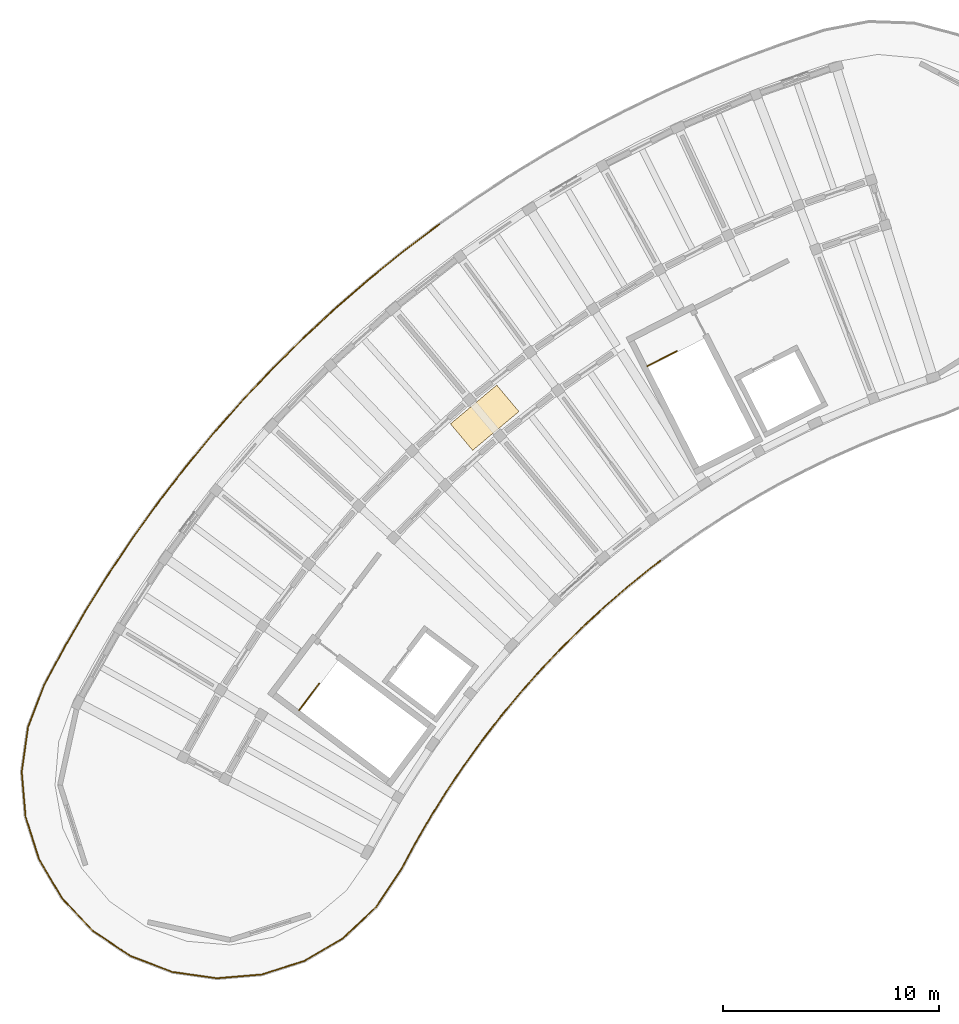
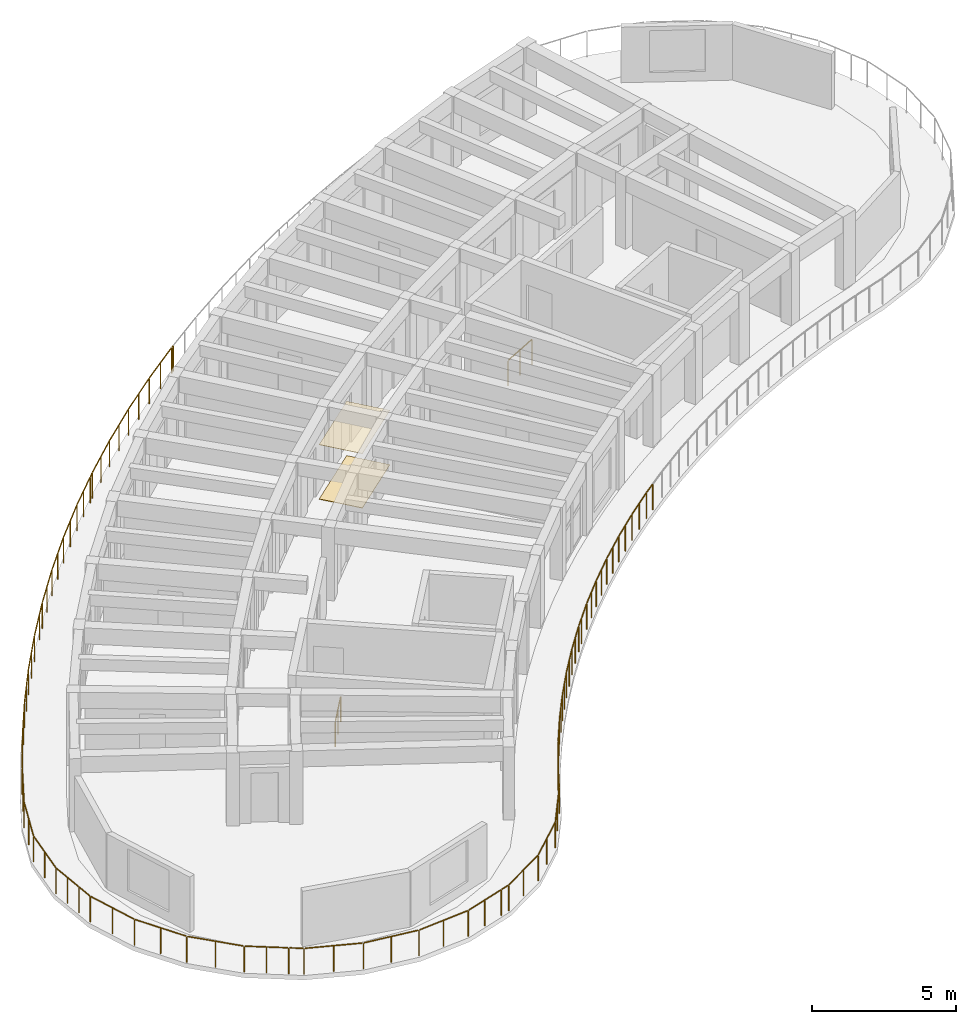
# One storey, part 8 of 9: 11 railings, 2 coverings.
"""IFC4 building model written with IfcOpenShell, lengths in metres."""

from ifc_helpers import new_model, si_unit, direction, frame, origin, origin_2d, place, context, subcontext, project, spatial, rectangle, circle, extrude, material, layer, layer_set, type_object, element, save


model = new_model("IFC4")

# Units and contexts
model_context = context("Model", 3, precision=1e-05, world=origin(), true_north=direction((0.0, 1.0)))
body_context = subcontext(model_context, "Body", "Model", "MODEL_VIEW")
ifc_project = project(units=[si_unit("LENGTHUNIT", "METRE"), si_unit("AREAUNIT", "SQUARE_METRE"), si_unit("VOLUMEUNIT", "CUBIC_METRE"), si_unit("PLANEANGLEUNIT", "RADIAN"), si_unit("MASSUNIT", "GRAM", prefix="KILO")], contexts=[model_context])

# Site, building, storey
site_placement = place(None, origin())
site = spatial("IfcSite", under=ifc_project, at=site_placement, CompositionType="ELEMENT")
building_placement = place(site_placement, origin())
building = spatial("IfcBuilding", under=site, at=building_placement, Name="Tanwirah Colonnade Gardens", CompositionType="ELEMENT")
storey_placement = place(building_placement, frame((0.0, 0.0, 49.159912109375)))
storey = spatial("IfcBuildingStorey", under=building, at=storey_placement, Name="L14", CompositionType="ELEMENT", Elevation=49.159912109375)

# Railings
ifc_material_1 = material(Name="Precast concrete C40/50", Category="concrete")
railing_type_1 = type_object("IfcRailingType", Name="BAL-EXT112", PredefinedType="BALUSTRADE", material=ifc_material_1)
railing_1_placement = place(storey_placement, frame((39.107666015625, 94.121826171875, 0.0)))
element("IfcRailing", 1, at=railing_1_placement, inside=storey, type_object=railing_type_1, Name="Block A L14 Balcony Ribbon Balustrade 3", PredefinedType="BALUSTRADE", context=body_context, shape_type="SweptSolid", body=[
    extrude(circle(Radius=0.02392578125, at=origin_2d()), frame((-0.02490234375, -0.018798828125, 1.09619140625), z_axis=(-0.796864191911, -0.604158472299, 0.0), x_axis=(0.604158472299, -0.796864191911, 0.0)), (0.0, 0.0, 1.0), 0.5),
    extrude(circle(Radius=0.02392578125, at=origin_2d()), frame((-0.474365234375, -0.361083984375, 1.09619140625), z_axis=(-0.776491375378, -0.630127879056, 0.0), x_axis=(0.630127879056, -0.776491375378, 0.0)), (0.0, 0.0, 1.0), 1.342041015625),
    extrude(circle(Radius=0.02392578125, at=origin_2d()), frame((-1.56640625, -1.24853515625, 1.09619140625), z_axis=(-0.755402192857, -0.655261418845, 0.0), x_axis=(0.655261418845, -0.755402192857, 0.0)), (0.0, 0.0, 1.0), 1.341796875),
    extrude(circle(Radius=0.02392578125, at=origin_2d()), frame((-2.62841796875, -2.171142578125, 1.09619140625), z_axis=(-0.73336899588, -0.679830799451, 0.0), x_axis=(0.679830799451, -0.73336899588, 0.0)), (0.0, 0.0, 1.0), 1.342041015625),
    extrude(circle(Radius=0.02392578125, at=origin_2d()), frame((-3.65966796875, -3.12841796875, 1.09619140625), z_axis=(-0.710488556831, -0.703708754111, 0.0), x_axis=(0.703708754111, -0.710488556831, 0.0)), (0.0, 0.0, 1.0), 1.341796875),
    extrude(circle(Radius=0.02392578125, at=origin_2d()), frame((-4.658447265625, -4.119384765625, 1.09619140625), z_axis=(-0.687011382404, -0.726646654466, 0.0), x_axis=(0.726646654466, -0.687011382404, 0.0)), (0.0, 0.0, 1.0), 1.341796875),
    extrude(circle(Radius=0.02392578125, at=origin_2d()), frame((-5.624267578125, -5.142578125, 1.09619140625), z_axis=(-0.662661667832, -0.748918896801, 0.0), x_axis=(0.748918896801, -0.662661667832, 0.0)), (0.0, 0.0, 1.0), 0.837646484375),
    extrude(circle(Radius=0.02099609375, at=origin_2d()), origin(), (0.0, 0.0, 1.0), 1.069091796875),
    extrude(circle(Radius=0.02099609375, at=origin_2d()), frame((-0.4482421875, -0.33984375, 0.0)), (0.0, 0.0, 1.0), 1.069091796875),
    extrude(circle(Radius=0.02099609375, at=origin_2d()), frame((-0.99560546875, -0.78369140625, 0.0)), (0.0, 0.0, 1.0), 1.069091796875),
    extrude(circle(Radius=0.02099609375, at=origin_2d()), frame((-1.540771484375, -1.226318359375, 0.0)), (0.0, 0.0, 1.0), 1.069091796875),
    extrude(circle(Radius=0.02099609375, at=origin_2d()), frame((-2.0732421875, -1.68798828125, 0.0)), (0.0, 0.0, 1.0), 1.069091796875),
    extrude(circle(Radius=0.02099609375, at=origin_2d()), frame((-2.603515625, -2.148193359375, 0.0)), (0.0, 0.0, 1.0), 1.069091796875),
    extrude(circle(Radius=0.02099609375, at=origin_2d()), frame((-3.12060546875, -2.62744140625, 0.0)), (0.0, 0.0, 1.0), 1.069091796875),
    extrude(circle(Radius=0.02099609375, at=origin_2d()), frame((-3.635498046875, -3.104736328125, 0.0)), (0.0, 0.0, 1.0), 1.069091796875),
    extrude(circle(Radius=0.02099609375, at=origin_2d()), frame((-4.13623046875, -3.6005859375, 0.0)), (0.0, 0.0, 1.0), 1.069091796875),
    extrude(circle(Radius=0.02099609375, at=origin_2d()), frame((-4.63525390625, -4.0947265625, 0.0)), (0.0, 0.0, 1.0), 1.069091796875),
    extrude(circle(Radius=0.02099609375, at=origin_2d()), frame((-5.119384765625, -4.60693359375, 0.0)), (0.0, 0.0, 1.0), 1.069091796875),
    extrude(circle(Radius=0.02099609375, at=origin_2d()), frame((-5.601806640625, -5.1171875, 0.0)), (0.0, 0.0, 1.0), 1.069091796875),
    extrude(circle(Radius=0.02099609375, at=origin_2d()), frame((-6.199951171875, -5.793212890625, 0.0)), (0.0, 0.0, 1.0), 1.069091796875),
])
railing_2_placement = place(storey_placement, frame((32.90771484375, 88.32861328125, 0.0)))
element("IfcRailing", 2, at=railing_2_placement, inside=storey, type_object=railing_type_1, Name="Block A L14 Balcony Ribbon Balustrade 4", PredefinedType="BALUSTRADE", context=body_context, shape_type="SweptSolid", body=[
    extrude(circle(Radius=0.02392578125, at=origin_2d()), frame((-0.020751953125, -0.0234375, 1.09619140625), z_axis=(-0.66243804346, -0.749116705579, 0.0), x_axis=(0.749116705579, -0.66243804346, 0.0)), (0.0, 0.0, 1.0), 0.441650390625),
    extrude(circle(Radius=0.02392578125, at=origin_2d()), frame((-0.355712890625, -0.40380859375, 1.09619140625), z_axis=(-0.637581943595, -0.770382544715, 0.0), x_axis=(0.770382544715, -0.637581943595, 0.0)), (0.0, 0.0, 1.0), 1.342041015625),
    extrude(circle(Radius=0.02392578125, at=origin_2d()), frame((-1.251953125, -1.48828125, 1.09619140625), z_axis=(-0.611783903817, -0.791024939576, 0.0), x_axis=(0.791024939576, -0.611783903817, 0.0)), (0.0, 0.0, 1.0), 1.341796875),
    extrude(circle(Radius=0.02392578125, at=origin_2d()), frame((-2.11181640625, -2.60205078125, 1.09619140625), z_axis=(-0.585522290474, -0.810656306556, 0.0), x_axis=(0.810656306556, -0.585522290474, 0.0)), (0.0, 0.0, 1.0), 1.341796875),
    extrude(circle(Radius=0.02392578125, at=origin_2d()), frame((-2.934814453125, -3.7431640625, 1.09619140625), z_axis=(-0.558385571779, -0.829581553091, 0.0), x_axis=(0.829581553091, -0.558385571779, 0.0)), (0.0, 0.0, 1.0), 1.341796875),
    extrude(circle(Radius=0.02392578125, at=origin_2d()), frame((-3.719482421875, -4.9111328125, 1.09619140625), z_axis=(-0.530764445851, -0.847519382091, 0.0), x_axis=(0.847519382091, -0.530764445851, 0.0)), (0.0, 0.0, 1.0), 1.341796875),
    extrude(circle(Radius=0.02392578125, at=origin_2d()), frame((-4.46533203125, -6.10400390625, 1.09619140625), z_axis=(-0.502492015165, -0.864581849622, 0.0), x_axis=(0.864581849622, -0.502492015165, 0.0)), (0.0, 0.0, 1.0), 0.8955078125),
    extrude(circle(Radius=0.02099609375, at=origin_2d()), origin(), (0.0, 0.0, 1.0), 1.069091796875),
    extrude(circle(Radius=0.02099609375, at=origin_2d()), frame((-0.333984375, -0.377685546875, 0.0)), (0.0, 0.0, 1.0), 1.069091796875),
    extrude(circle(Radius=0.02099609375, at=origin_2d()), frame((-0.783447265625, -0.920654296875, 0.0)), (0.0, 0.0, 1.0), 1.069091796875),
    extrude(circle(Radius=0.02099609375, at=origin_2d()), frame((-1.231201171875, -1.461669921875, 0.0)), (0.0, 0.0, 1.0), 1.069091796875),
    extrude(circle(Radius=0.02099609375, at=origin_2d()), frame((-1.66259765625, -2.01904296875, 0.0)), (0.0, 0.0, 1.0), 1.069091796875),
    extrude(circle(Radius=0.02099609375, at=origin_2d()), frame((-2.092041015625, -2.574462890625, 0.0)), (0.0, 0.0, 1.0), 1.069091796875),
    extrude(circle(Radius=0.02099609375, at=origin_2d()), frame((-2.504638671875, -3.14599609375, 0.0)), (0.0, 0.0, 1.0), 1.069091796875),
    extrude(circle(Radius=0.02099609375, at=origin_2d()), frame((-2.915771484375, -3.715087890625, 0.0)), (0.0, 0.0, 1.0), 1.069091796875),
    extrude(circle(Radius=0.02099609375, at=origin_2d()), frame((-3.309326171875, -4.2998046875, 0.0)), (0.0, 0.0, 1.0), 1.069091796875),
    extrude(circle(Radius=0.02099609375, at=origin_2d()), frame((-3.701416015625, -4.88232421875, 0.0)), (0.0, 0.0, 1.0), 1.069091796875),
    extrude(circle(Radius=0.02099609375, at=origin_2d()), frame((-4.07568359375, -5.4794921875, 0.0)), (0.0, 0.0, 1.0), 1.069091796875),
    extrude(circle(Radius=0.02099609375, at=origin_2d()), frame((-4.4482421875, -6.07470703125, 0.0)), (0.0, 0.0, 1.0), 1.069091796875),
    extrude(circle(Radius=0.02099609375, at=origin_2d()), frame((-4.93115234375, -6.9052734375, 0.0)), (0.0, 0.0, 1.0), 1.069091796875),
])
railing_3_placement = place(storey_placement, frame((27.9765625, 81.42333984375, 0.0)))
element("IfcRailing", 3, at=railing_3_placement, inside=storey, type_object=railing_type_1, Name="Block A L14 Balcony Ribbon Balustrade 5", PredefinedType="BALUSTRADE", context=body_context, shape_type="SweptSolid", body=[
    extrude(circle(Radius=0.02392578125, at=origin_2d()), frame((-0.015625, -0.027099609375, 1.09619140625), z_axis=(-0.502135517387, -0.86478894661, 0.0), x_axis=(0.86478894661, -0.502135517387, 0.0)), (0.0, 0.0, 1.0), 0.3837890625),
    extrude(circle(Radius=0.02392578125, at=origin_2d()), frame((-0.240234375, -0.415771484375, 1.09619140625), z_axis=(-0.47378794551, -0.880638962736, 0.0), x_axis=(0.880638962736, -0.47378794551, 0.0)), (0.0, 0.0, 1.0), 1.338134765625),
    extrude(circle(Radius=0.02392578125, at=origin_2d()), frame((-0.90625, -1.6474609375, 1.09619140625), z_axis=(-0.555723141741, -0.831367421622, 0.0), x_axis=(0.831367421622, -0.555723141741, 0.0)), (0.0, 0.0, 1.0), 2.029541015625),
    extrude(circle(Radius=0.02392578125, at=origin_2d()), frame((-2.07421875, -3.38232421875, 1.09619140625), z_axis=(-0.726828201995, -0.686819310142, 0.0), x_axis=(0.686819310142, -0.726828201995, 0.0)), (0.0, 0.0, 1.0), 2.0244140625),
    extrude(circle(Radius=0.02392578125, at=origin_2d()), frame((-3.59521484375, -4.81005859375, 1.09619140625), z_axis=(-0.861380341029, -0.507960537926, 0.0), x_axis=(0.507960537926, -0.861380341029, 0.0)), (0.0, 0.0, 1.0), 2.0244140625),
    extrude(circle(Radius=0.02392578125, at=origin_2d()), frame((-5.395751953125, -5.86376953125, 1.09619140625), z_axis=(-0.952909114454, -0.303256029766, 0.0), x_axis=(0.303256029766, -0.952909114454, 0.0)), (0.0, 0.0, 1.0), 0.322265625),
    extrude(circle(Radius=0.02099609375, at=origin_2d()), origin(), (0.0, 0.0, 1.0), 1.069091796875),
    extrude(circle(Radius=0.02099609375, at=origin_2d()), frame((-0.22412109375, -0.385986328125, 0.0)), (0.0, 0.0, 1.0), 1.069091796875),
    extrude(circle(Radius=0.02099609375, at=origin_2d()), frame((-0.55712890625, -1.0048828125, 0.0)), (0.0, 0.0, 1.0), 1.069091796875),
    extrude(circle(Radius=0.02099609375, at=origin_2d()), frame((-0.888916015625, -1.62158203125, 0.0)), (0.0, 0.0, 1.0), 1.069091796875),
    extrude(circle(Radius=0.02099609375, at=origin_2d()), frame((-1.47021484375, -2.4912109375, 0.0)), (0.0, 0.0, 1.0), 1.069091796875),
    extrude(circle(Radius=0.02099609375, at=origin_2d()), frame((-2.051513671875, -3.36083984375, 0.0)), (0.0, 0.0, 1.0), 1.069091796875),
    extrude(circle(Radius=0.02099609375, at=origin_2d()), frame((-2.81005859375, -4.07763671875, 0.0)), (0.0, 0.0, 1.0), 1.069091796875),
    extrude(circle(Radius=0.02099609375, at=origin_2d()), frame((-3.568359375, -4.794189453125, 0.0)), (0.0, 0.0, 1.0), 1.069091796875),
    extrude(circle(Radius=0.02099609375, at=origin_2d()), frame((-4.46728515625, -5.32421875, 0.0)), (0.0, 0.0, 1.0), 1.069091796875),
    extrude(circle(Radius=0.02099609375, at=origin_2d()), frame((-5.365966796875, -5.854248046875, 0.0)), (0.0, 0.0, 1.0), 1.069091796875),
    extrude(circle(Radius=0.02099609375, at=origin_2d()), frame((-5.732666015625, -5.970947265625, 0.0)), (0.0, 0.0, 1.0), 1.069091796875),
])
railing_4_placement = place(storey_placement, frame((22.243896484375, 75.452392578125, 0.0)))
element("IfcRailing", 4, at=railing_4_placement, inside=storey, type_object=railing_type_1, Name="Block A L14 Balcony Ribbon Balustrade 6", PredefinedType="BALUSTRADE", context=body_context, shape_type="SweptSolid", body=[
    extrude(circle(Radius=0.02392578125, at=origin_2d()), frame((-0.02978515625, -0.009521484375, 1.09619140625), z_axis=(-0.952829661242, -0.303505579285, 0.0), x_axis=(0.303505579285, -0.952829661242, 0.0)), (0.0, 0.0, 1.0), 1.6396484375),
    extrude(circle(Radius=0.02392578125, at=origin_2d()), frame((-1.653076171875, -0.519287109375, 1.09619140625), z_axis=(-0.996485797571, -0.083761896109, 0.0), x_axis=(0.083761896109, -0.996485797571, 0.0)), (0.0, 0.0, 1.0), 2.0244140625),
    extrude(circle(Radius=0.02392578125, at=origin_2d()), frame((-3.732421875, -0.68701171875, 1.09619140625), z_axis=(-0.990163599913, 0.139914421727, 0.0), x_axis=(-0.139914421727, -0.990163599913, 0.0)), (0.0, 0.0, 1.0), 2.0244140625),
    extrude(circle(Radius=0.02392578125, at=origin_2d()), frame((-5.797119140625, -0.38818359375, 1.09619140625), z_axis=(-0.93417230436, 0.356822232724, 0.0), x_axis=(-0.356822232724, -0.93417230436, 0.0)), (0.0, 0.0, 1.0), 2.0244140625),
    extrude(circle(Radius=0.02392578125, at=origin_2d()), frame((-7.7431640625, 0.362548828125, 1.09619140625), z_axis=(-0.831280340751, 0.555853393514, 0.0), x_axis=(-0.555853393514, -0.831280340751, 0.0)), (0.0, 0.0, 1.0), 0.474609375),
    extrude(circle(Radius=0.02099609375, at=origin_2d()), origin(), (0.0, 0.0, 1.0), 1.069091796875),
    extrude(circle(Radius=0.02099609375, at=origin_2d()), frame((-0.81103515625, -0.25830078125, 0.0)), (0.0, 0.0, 1.0), 1.069091796875),
    extrude(circle(Radius=0.02099609375, at=origin_2d()), frame((-1.621826171875, -0.5166015625, 0.0)), (0.0, 0.0, 1.0), 1.069091796875),
    extrude(circle(Radius=0.02099609375, at=origin_2d()), frame((-2.66162109375, -0.60400390625, 0.0)), (0.0, 0.0, 1.0), 1.069091796875),
    extrude(circle(Radius=0.02099609375, at=origin_2d()), frame((-3.701416015625, -0.69140625, 0.0)), (0.0, 0.0, 1.0), 1.069091796875),
    extrude(circle(Radius=0.02099609375, at=origin_2d()), frame((-4.734619140625, -0.54541015625, 0.0)), (0.0, 0.0, 1.0), 1.069091796875),
    extrude(circle(Radius=0.02099609375, at=origin_2d()), frame((-5.767822265625, -0.3994140625, 0.0)), (0.0, 0.0, 1.0), 1.069091796875),
    extrude(circle(Radius=0.02099609375, at=origin_2d()), frame((-6.74267578125, -0.027099609375, 0.0)), (0.0, 0.0, 1.0), 1.069091796875),
    extrude(circle(Radius=0.02099609375, at=origin_2d()), frame((-7.71728515625, 0.34521484375, 0.0)), (0.0, 0.0, 1.0), 1.069091796875),
    extrude(circle(Radius=0.02099609375, at=origin_2d()), frame((-8.163818359375, 0.643798828125, 0.0)), (0.0, 0.0, 1.0), 1.069091796875),
])
railing_5_placement = place(storey_placement, frame((14.080078125, 76.09619140625, 0.0)))
element("IfcRailing", 5, at=railing_5_placement, inside=storey, type_object=railing_type_1, Name="Block A L14 Balcony Ribbon Balustrade 7", PredefinedType="BALUSTRADE", context=body_context, shape_type="SweptSolid", body=[
    extrude(circle(Radius=0.02392578125, at=origin_2d()), frame((-0.02587890625, 0.017333984375, 1.09619140625), z_axis=(-0.831322485923, 0.555790360117, 0.0), x_axis=(-0.555790360117, -0.831322485923, 0.0)), (0.0, 0.0, 1.0), 1.4873046875),
    extrude(circle(Radius=0.02392578125, at=origin_2d()), frame((-1.309814453125, 0.884033203125, 1.09619140625), z_axis=(-0.686939500994, 0.72671460834, 0.0), x_axis=(-0.72671460834, -0.686939500994, 0.0)), (0.0, 0.0, 1.0), 2.0244140625),
    extrude(circle(Radius=0.02392578125, at=origin_2d()), frame((-2.73779296875, 2.40478515625, 1.09619140625), z_axis=(-0.507822547411, 0.861461699869, 0.0), x_axis=(-0.861461699869, -0.507822547411, 0.0)), (0.0, 0.0, 1.0), 2.0244140625),
    extrude(circle(Radius=0.02392578125, at=origin_2d()), frame((-3.791259765625, 4.20556640625, 1.09619140625), z_axis=(-0.303459565149, 0.952844316937, 0.0), x_axis=(-0.952844316937, -0.303459565149, 0.0)), (0.0, 0.0, 1.0), 2.0244140625),
    extrude(circle(Radius=0.02392578125, at=origin_2d()), frame((-4.417724609375, 6.195556640625, 1.09619140625), z_axis=(-0.083924622984, 0.99647210581, 0.0), x_axis=(-0.99647210581, -0.083924622984, 0.0)), (0.0, 0.0, 1.0), 0.626953125),
    extrude(circle(Radius=0.02099609375, at=origin_2d()), origin(), (0.0, 0.0, 1.0), 1.069091796875),
    extrude(circle(Radius=0.02099609375, at=origin_2d()), frame((-0.64404296875, 0.4306640625, 0.0)), (0.0, 0.0, 1.0), 1.069091796875),
    extrude(circle(Radius=0.02099609375, at=origin_2d()), frame((-1.288330078125, 0.861328125, 0.0)), (0.0, 0.0, 1.0), 1.069091796875),
    extrude(circle(Radius=0.02099609375, at=origin_2d()), frame((-2.005126953125, 1.61962890625, 0.0)), (0.0, 0.0, 1.0), 1.069091796875),
    extrude(circle(Radius=0.02099609375, at=origin_2d()), frame((-2.721923828125, 2.3779296875, 0.0)), (0.0, 0.0, 1.0), 1.069091796875),
    extrude(circle(Radius=0.02099609375, at=origin_2d()), frame((-3.251953125, 3.27685546875, 0.0)), (0.0, 0.0, 1.0), 1.069091796875),
    extrude(circle(Radius=0.02099609375, at=origin_2d()), frame((-3.78173828125, 4.17578125, 0.0)), (0.0, 0.0, 1.0), 1.069091796875),
    extrude(circle(Radius=0.02099609375, at=origin_2d()), frame((-4.098388671875, 5.169921875, 0.0)), (0.0, 0.0, 1.0), 1.069091796875),
    extrude(circle(Radius=0.02099609375, at=origin_2d()), frame((-4.4150390625, 6.164306640625, 0.0)), (0.0, 0.0, 1.0), 1.069091796875),
    extrude(circle(Radius=0.02099609375, at=origin_2d()), frame((-4.472900390625, 6.851318359375, 0.0)), (0.0, 0.0, 1.0), 1.069091796875),
])
railing_6_placement = place(storey_placement, frame((9.607177734375, 82.947509765625, 0.0)))
element("IfcRailing", 6, at=railing_6_placement, inside=storey, type_object=railing_type_1, Name="Block A L14 Balcony Ribbon Balustrade 8", PredefinedType="BALUSTRADE", context=body_context, shape_type="SweptSolid", body=[
    extrude(circle(Radius=0.02392578125, at=origin_2d()), frame((-0.002685546875, 0.03125, 1.09619140625), z_axis=(-0.083855087776, 0.996477959743, 0.0), x_axis=(-0.996477959743, -0.083855087776, 0.0)), (0.0, 0.0, 1.0), 1.3349609375),
    extrude(circle(Radius=0.02392578125, at=origin_2d()), frame((-0.11279296875, 1.423583984375, 1.09619140625), z_axis=(0.140045335647, 0.99014509238, 0.0), x_axis=(-0.99014509238, 0.140045335647, 0.0)), (0.0, 0.0, 1.0), 2.024169921875),
    extrude(circle(Radius=0.02392578125, at=origin_2d()), frame((0.186279296875, 3.488037109375, 1.09619140625), z_axis=(0.356747891144, 0.934200696941, 0.0), x_axis=(-0.934200696941, 0.356747891144, 0.0)), (0.0, 0.0, 1.0), 2.028076171875),
    extrude(circle(Radius=0.02392578125, at=origin_2d()), frame((0.935791015625, 5.439453125, 1.09619140625), z_axis=(0.473825613397, 0.880618696196, 0.0), x_axis=(-0.880618696196, 0.473825613397, 0.0)), (0.0, 0.0, 1.0), 1.955322265625),
    extrude(circle(Radius=0.02392578125, at=origin_2d()), frame((1.892578125, 7.2158203125, 1.09619140625), z_axis=(0.502414645958, 0.86462681171, 0.0), x_axis=(-0.86462681171, 0.502414645958, 0.0)), (0.0, 0.0, 1.0), 0.8447265625),
    extrude(circle(Radius=0.02099609375, at=origin_2d()), origin(), (0.0, 0.0, 1.0), 1.069091796875),
    extrude(circle(Radius=0.02099609375, at=origin_2d()), frame((-0.05859375, 0.6962890625, 0.0)), (0.0, 0.0, 1.0), 1.069091796875),
    extrude(circle(Radius=0.02099609375, at=origin_2d()), frame((-0.1171875, 1.392578125, 0.0)), (0.0, 0.0, 1.0), 1.069091796875),
    extrude(circle(Radius=0.02099609375, at=origin_2d()), frame((0.02880859375, 2.42578125, 0.0)), (0.0, 0.0, 1.0), 1.069091796875),
    extrude(circle(Radius=0.02099609375, at=origin_2d()), frame((0.175048828125, 3.458740234375, 0.0)), (0.0, 0.0, 1.0), 1.069091796875),
    extrude(circle(Radius=0.02099609375, at=origin_2d()), frame((0.5478515625, 4.435302734375, 0.0)), (0.0, 0.0, 1.0), 1.069091796875),
    extrude(circle(Radius=0.02099609375, at=origin_2d()), frame((0.9208984375, 5.411865234375, 0.0)), (0.0, 0.0, 1.0), 1.069091796875),
    extrude(circle(Radius=0.02099609375, at=origin_2d()), frame((1.39892578125, 6.30029296875, 0.0)), (0.0, 0.0, 1.0), 1.069091796875),
    extrude(circle(Radius=0.02099609375, at=origin_2d()), frame((1.876953125, 7.188720703125, 0.0)), (0.0, 0.0, 1.0), 1.069091796875),
    extrude(circle(Radius=0.02099609375, at=origin_2d()), frame((2.332763671875, 7.97314453125, 0.0)), (0.0, 0.0, 1.0), 1.069091796875),
])
railing_7_placement = place(storey_placement, frame((11.93994140625, 90.920654296875, 0.0)))
element("IfcRailing", 7, at=railing_7_placement, inside=storey, type_object=railing_type_1, Name="Block A L14 Balcony Ribbon Balustrade 9", PredefinedType="BALUSTRADE", context=body_context, shape_type="SweptSolid", body=[
    extrude(circle(Radius=0.02392578125, at=origin_2d()), frame((0.015625, 0.027099609375, 1.09619140625), z_axis=(0.502426218775, 0.86462008691, 0.0), x_axis=(-0.86462008691, 0.502426218775, 0.0)), (0.0, 0.0, 1.0), 1.0517578125),
    extrude(circle(Radius=0.02392578125, at=origin_2d()), frame((0.576416015625, 0.989990234375, 1.09619140625), z_axis=(0.530812919598, 0.847489023167, 0.0), x_axis=(-0.847489023167, 0.530812919598, 0.0)), (0.0, 0.0, 1.0), 1.958984375),
    extrude(circle(Radius=0.02392578125, at=origin_2d()), frame((1.650146484375, 2.702392578125, 1.09619140625), z_axis=(0.558345997542, 0.829608188863, 0.0), x_axis=(-0.829608188863, 0.558345997542, 0.0)), (0.0, 0.0, 1.0), 1.958984375),
    extrude(circle(Radius=0.02392578125, at=origin_2d()), frame((2.77978515625, 4.37890625, 1.09619140625), z_axis=(0.585468507287, 0.810695150457, 0.0), x_axis=(-0.810695150457, 0.585468507287, 0.0)), (0.0, 0.0, 1.0), 1.958984375),
    extrude(circle(Radius=0.02392578125, at=origin_2d()), frame((3.964111328125, 6.01708984375, 1.09619140625), z_axis=(0.611789265399, 0.791020792864, 0.0), x_axis=(-0.791020792864, 0.611789265399, 0.0)), (0.0, 0.0, 1.0), 1.2587890625),
    extrude(circle(Radius=0.02099609375, at=origin_2d()), origin(), (0.0, 0.0, 1.0), 1.069091796875),
    extrude(circle(Radius=0.02099609375, at=origin_2d()), frame((0.559814453125, 0.96337890625, 0.0)), (0.0, 0.0, 1.0), 1.069091796875),
    extrude(circle(Radius=0.02099609375, at=origin_2d()), frame((1.09619140625, 1.81982421875, 0.0)), (0.0, 0.0, 1.0), 1.069091796875),
    extrude(circle(Radius=0.02099609375, at=origin_2d()), frame((1.6328125, 2.676513671875, 0.0)), (0.0, 0.0, 1.0), 1.069091796875),
    extrude(circle(Radius=0.02099609375, at=origin_2d()), frame((2.197265625, 3.51513671875, 0.0)), (0.0, 0.0, 1.0), 1.069091796875),
    extrude(circle(Radius=0.02099609375, at=origin_2d()), frame((2.761474609375, 4.353515625, 0.0)), (0.0, 0.0, 1.0), 1.069091796875),
    extrude(circle(Radius=0.02099609375, at=origin_2d()), frame((3.353271484375, 5.1728515625, 0.0)), (0.0, 0.0, 1.0), 1.069091796875),
    extrude(circle(Radius=0.02099609375, at=origin_2d()), frame((3.945068359375, 5.992431640625, 0.0)), (0.0, 0.0, 1.0), 1.069091796875),
    extrude(circle(Radius=0.02099609375, at=origin_2d()), frame((4.75341796875, 7.03759765625, 0.0)), (0.0, 0.0, 1.0), 1.069091796875),
])
railing_8_placement = place(storey_placement, frame((16.693359375, 97.958251953125, 0.0)))
element("IfcRailing", 8, at=railing_8_placement, inside=storey, type_object=railing_type_1, Name="Block A L14 Balcony Ribbon Balustrade 10", PredefinedType="BALUSTRADE", context=body_context, shape_type="SweptSolid", body=[
    extrude(circle(Radius=0.02392578125, at=origin_2d()), frame((0.01904296875, 0.024658203125, 1.09619140625), z_axis=(0.611983280121, 0.790870700464, 0.0), x_axis=(-0.790870700464, 0.611983280121, 0.0)), (0.0, 0.0, 1.0), 0.6376953125),
    extrude(circle(Radius=0.02392578125, at=origin_2d()), frame((0.448486328125, 0.577880859375, 1.09619140625), z_axis=(0.637555355491, 0.770404548717, 0.0), x_axis=(-0.770404548717, 0.637555355491, 0.0)), (0.0, 0.0, 1.0), 1.958984375),
    extrude(circle(Radius=0.02392578125, at=origin_2d()), frame((1.738037109375, 2.134521484375, 1.09619140625), z_axis=(0.662607760508, 0.748966591854, 0.0), x_axis=(-0.748966591854, 0.662607760508, 0.0)), (0.0, 0.0, 1.0), 1.958740234375),
    extrude(circle(Radius=0.02392578125, at=origin_2d()), frame((3.078125, 3.647705078125, 1.09619140625), z_axis=(0.686960364449, 0.726694886232, 0.0), x_axis=(-0.726694886232, 0.686960364449, 0.0)), (0.0, 0.0, 1.0), 1.958984375),
    extrude(circle(Radius=0.02392578125, at=origin_2d()), frame((4.467529296875, 5.115966796875, 1.09619140625), z_axis=(0.710474567032, 0.703722878412, 0.0), x_axis=(-0.703722878412, 0.710474567032, 0.0)), (0.0, 0.0, 1.0), 1.673095703125),
    extrude(circle(Radius=0.02099609375, at=origin_2d()), origin(), (0.0, 0.0, 1.0), 1.069091796875),
    extrude(circle(Radius=0.02099609375, at=origin_2d()), frame((0.428466796875, 0.5537109375, 0.0)), (0.0, 0.0, 1.0), 1.069091796875),
    extrude(circle(Radius=0.02099609375, at=origin_2d()), frame((1.07275390625, 1.33251953125, 0.0)), (0.0, 0.0, 1.0), 1.069091796875),
    extrude(circle(Radius=0.02099609375, at=origin_2d()), frame((1.71728515625, 2.111083984375, 0.0)), (0.0, 0.0, 1.0), 1.069091796875),
    extrude(circle(Radius=0.02099609375, at=origin_2d()), frame((2.386962890625, 2.8681640625, 0.0)), (0.0, 0.0, 1.0), 1.069091796875),
    extrude(circle(Radius=0.02099609375, at=origin_2d()), frame((3.056640625, 3.625, 0.0)), (0.0, 0.0, 1.0), 1.069091796875),
    extrude(circle(Radius=0.02099609375, at=origin_2d()), frame((3.7509765625, 4.359375, 0.0)), (0.0, 0.0, 1.0), 1.069091796875),
    extrude(circle(Radius=0.02099609375, at=origin_2d()), frame((4.4453125, 5.093994140625, 0.0)), (0.0, 0.0, 1.0), 1.069091796875),
    extrude(circle(Radius=0.02099609375, at=origin_2d()), frame((5.06201171875, 5.70458984375, 0.0)), (0.0, 0.0, 1.0), 1.069091796875),
    extrude(circle(Radius=0.02099609375, at=origin_2d()), frame((5.678466796875, 6.3154296875, 0.0)), (0.0, 0.0, 1.0), 1.069091796875),
])
railing_9_placement = place(storey_placement, frame((22.371826171875, 104.273681640625, 0.0)))
element("IfcRailing", 9, at=railing_9_placement, inside=storey, type_object=railing_type_1, Name="Block A L14 Balcony Ribbon Balustrade 11", PredefinedType="BALUSTRADE", context=body_context, shape_type="SweptSolid", body=[
    extrude(circle(Radius=0.02392578125, at=origin_2d()), frame((0.022216796875, 0.02197265625, 1.09619140625), z_axis=(0.710514465113, 0.703682595256, 0.0), x_axis=(-0.703682595256, 0.710514465113, 0.0)), (0.0, 0.0, 1.0), 0.223388671875),
    extrude(circle(Radius=0.02392578125, at=origin_2d()), frame((0.22607421875, 0.222412109375, 1.09619140625), z_axis=(0.733352454033, 0.679848643569, 0.0), x_axis=(-0.679848643569, 0.733352454033, 0.0)), (0.0, 0.0, 1.0), 1.958984375),
    extrude(circle(Radius=0.02392578125, at=origin_2d()), frame((1.709228515625, 1.595947265625, 1.09619140625), z_axis=(0.755338292497, 0.655335077565, 0.0), x_axis=(-0.655335077565, 0.755338292497, 0.0)), (0.0, 0.0, 1.0), 1.958984375),
    extrude(circle(Radius=0.02392578125, at=origin_2d()), frame((3.236572265625, 2.919921875, 1.09619140625), z_axis=(0.776549722569, 0.630055972417, 0.0), x_axis=(-0.630055972417, 0.776549722569, 0.0)), (0.0, 0.0, 1.0), 1.958984375),
    extrude(circle(Radius=0.02392578125, at=origin_2d()), frame((4.80712890625, 4.192626953125, 1.09619140625), z_axis=(0.796887753746, 0.604127393792, 0.0), x_axis=(-0.604127393792, 0.796887753746, 0.0)), (0.0, 0.0, 1.0), 1.958984375),
    extrude(circle(Radius=0.02392578125, at=origin_2d()), frame((6.41845703125, 5.4130859375, 1.09619140625), z_axis=(0.815912330982, 0.578175637805, 0.0), x_axis=(-0.578175637805, 0.815912330982, 0.0)), (0.0, 0.0, 1.0), 0.06591796875),
    extrude(circle(Radius=0.02099609375, at=origin_2d()), origin(), (0.0, 0.0, 1.0), 1.069091796875),
    extrude(circle(Radius=0.02099609375, at=origin_2d()), frame((0.203125, 0.201171875, 0.0)), (0.0, 0.0, 1.0), 1.069091796875),
    extrude(circle(Radius=0.02099609375, at=origin_2d()), frame((0.9443359375, 0.88818359375, 0.0)), (0.0, 0.0, 1.0), 1.069091796875),
    extrude(circle(Radius=0.02099609375, at=origin_2d()), frame((1.685546875, 1.575439453125, 0.0)), (0.0, 0.0, 1.0), 1.069091796875),
    extrude(circle(Radius=0.02099609375, at=origin_2d()), frame((2.448974609375, 2.23779296875, 0.0)), (0.0, 0.0, 1.0), 1.069091796875),
    extrude(circle(Radius=0.02099609375, at=origin_2d()), frame((3.21240234375, 2.900146484375, 0.0)), (0.0, 0.0, 1.0), 1.069091796875),
    extrude(circle(Radius=0.02099609375, at=origin_2d()), frame((3.997314453125, 3.537109375, 0.0)), (0.0, 0.0, 1.0), 1.069091796875),
    extrude(circle(Radius=0.02099609375, at=origin_2d()), frame((4.7822265625, 4.173828125, 0.0)), (0.0, 0.0, 1.0), 1.069091796875),
    extrude(circle(Radius=0.02099609375, at=origin_2d()), frame((5.587646484375, 4.784423828125, 0.0)), (0.0, 0.0, 1.0), 1.069091796875),
    extrude(circle(Radius=0.02099609375, at=origin_2d()), frame((6.39306640625, 5.39501953125, 0.0)), (0.0, 0.0, 1.0), 1.069091796875),
    extrude(circle(Radius=0.02099609375, at=origin_2d()), frame((6.497802734375, 5.46923828125, 0.0)), (0.0, 0.0, 1.0), 1.069091796875),
])

# Coverings
ifc_material_2 = material(Name="Acoustic perforated gypsum ceiling board")
ifc_layer_1 = layer(ifc_material_2, 0.014892578125)
ifc_layer_set_1 = layer_set([ifc_layer_1], Name="Acoustic perforated gypsum ceiling board")
covering_type_1 = type_object("IfcCoveringType", Name="COV-CEIL15", PredefinedType="CEILING", material=ifc_layer_set_1)
covering_1_placement = place(storey_placement, frame((30.96435546875, 100.761962890625, 2.3125), z_axis=(0.0, 0.0, 1.0), x_axis=(-0.766044443119, -0.642787609687, 0.0)))
element("IfcCovering", 10, at=covering_1_placement, inside=storey, type_object=covering_type_1, Name="Block A L14 Corridor Acoustic Ceiling", PredefinedType="CEILING", context=body_context, shape_type="SweptSolid", body=[
    extrude(rectangle(XDim=2.800048828125, YDim=1.60009765625, at=origin_2d()), origin(), (0.0, 0.0, 1.0), 0.014892578125),
])
ifc_material_3 = material(Name="Honed Abu Dhabi limestone terrazzo flooring", Category="masonry")
ifc_layer_2 = layer(ifc_material_3, 0.02001953125)
ifc_layer_set_2 = layer_set([ifc_layer_2], Name="Honed Abu Dhabi limestone terrazzo flooring")
covering_type_2 = type_object("IfcCoveringType", Name="COV-FLR20", PredefinedType="FLOORING", material=ifc_layer_set_2)
covering_2_placement = place(storey_placement, frame((30.96435546875, 100.761962890625, 0.0), z_axis=(0.0, 0.0, 1.0), x_axis=(-0.766044443119, -0.642787609687, 0.0)))
element("IfcCovering", 11, at=covering_2_placement, inside=storey, type_object=covering_type_2, Name="Block A L14 Corridor Terrazzo Flooring", PredefinedType="FLOORING", context=body_context, shape_type="SweptSolid", body=[
    extrude(rectangle(XDim=2.800048828125, YDim=1.60009765625, at=origin_2d()), origin(), (0.0, 0.0, 1.0), 0.02001953125),
])

# Railings
ifc_material_4 = material(Name="Powder-coated galvanized steel", Category="steel")
railing_type_2 = type_object("IfcRailingType", Name="GRD-ST110", PredefinedType="GUARDRAIL", material=ifc_material_4)
railing_10_placement = place(storey_placement, frame((38.51123046875, 103.15625, 0.0)))
element("IfcRailing", 12, at=railing_10_placement, inside=storey, type_object=railing_type_2, Name="L14 ST-A1 top well guard 1", PredefinedType="GUARDRAIL", context=body_context, shape_type="SweptSolid", body=[
    extrude(circle(Radius=0.02392578125, at=origin_2d()), frame((0.02783203125, 0.01416015625, 1.076171875), z_axis=(0.890976575467, 0.454049272622, 0.0), x_axis=(-0.454049272622, 0.890976575467, 0.0)), (0.0, 0.0, 1.0), 1.4775390625),
    extrude(circle(Radius=0.02099609375, at=origin_2d()), origin(), (0.0, 0.0, 1.0), 1.049072265625),
    extrude(circle(Radius=0.02099609375, at=origin_2d()), frame((0.68603515625, 0.349609375, 0.0)), (0.0, 0.0, 1.0), 1.049072265625),
    extrude(circle(Radius=0.02099609375, at=origin_2d()), frame((1.3720703125, 0.69921875, 0.0)), (0.0, 0.0, 1.0), 1.049072265625),
])
railing_11_placement = place(storey_placement, frame((22.361083984375, 87.19677734375, 0.0)))
element("IfcRailing", 13, at=railing_11_placement, inside=storey, type_object=railing_type_2, Name="L14 ST-A2 top well guard 1", PredefinedType="GUARDRAIL", context=body_context, shape_type="SweptSolid", body=[
    extrude(circle(Radius=0.02392578125, at=origin_2d()), frame((0.018798828125, 0.02490234375, 1.076171875), z_axis=(0.601875146816, 0.798590200068, 0.0), x_axis=(-0.798590200068, 0.601875146816, 0.0)), (0.0, 0.0, 1.0), 1.477783203125),
    extrude(circle(Radius=0.02099609375, at=origin_2d()), origin(), (0.0, 0.0, 1.0), 1.049072265625),
    extrude(circle(Radius=0.02099609375, at=origin_2d()), frame((0.46337890625, 0.614990234375, 0.0)), (0.0, 0.0, 1.0), 1.049072265625),
    extrude(circle(Radius=0.02099609375, at=origin_2d()), frame((0.927001953125, 1.22998046875, 0.0)), (0.0, 0.0, 1.0), 1.049072265625),
])

save(model, "model.ifc")
